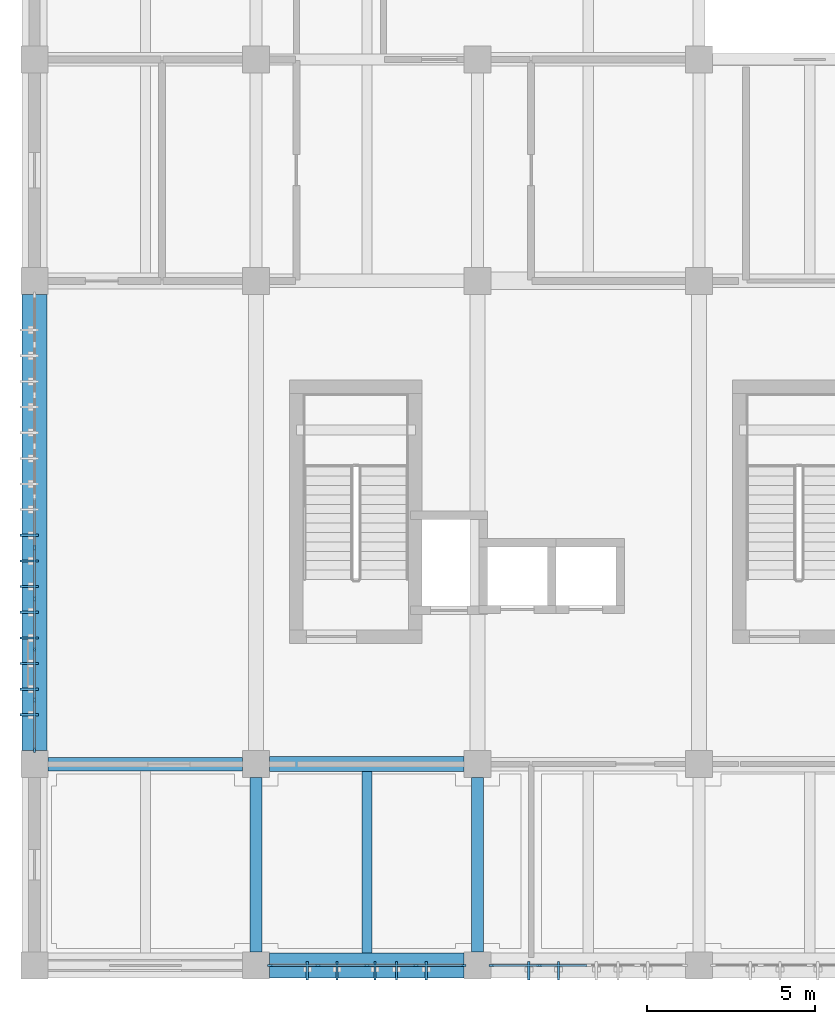
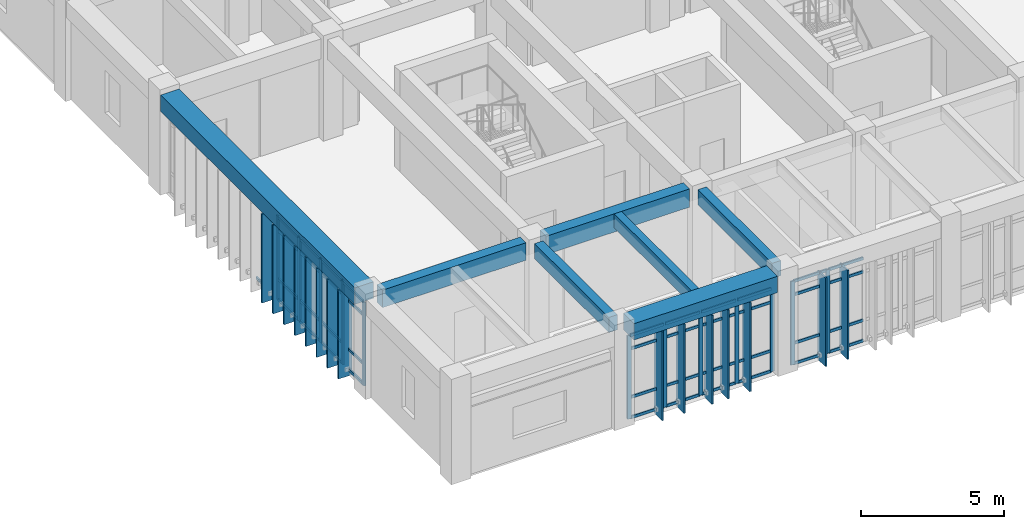
# One storey, part 2 of 34: 68 members, 7 beams, 3 elements without a shape of their own.
"""IFC4 building model written with IfcOpenShell, lengths in metres."""

from ifc_helpers import new_model, si_unit, direction, frame, origin, origin_2d, place, context, subcontext, project, spatial, rectangle, extrude, material, layer, layer_set, material_profile, profile_set, type_object, element, aggregate, save


model = new_model("IFC4")

# Units and contexts
model_context = context("Model", 3, precision=1e-05, world=origin(), true_north=direction((0.0, 1.0)))
body_context = subcontext(model_context, "Body", "Model", "MODEL_VIEW")
ifc_project = project(units=[si_unit("LENGTHUNIT", "METRE"), si_unit("AREAUNIT", "SQUARE_METRE"), si_unit("VOLUMEUNIT", "CUBIC_METRE"), si_unit("PLANEANGLEUNIT", "RADIAN"), si_unit("MASSUNIT", "GRAM", prefix="KILO")], contexts=[model_context])

# Site, building, storey
site_placement = place(None, origin())
site = spatial("IfcSite", under=ifc_project, at=site_placement, CompositionType="ELEMENT")
building_placement = place(site_placement, origin())
building = spatial("IfcBuilding", under=site, at=building_placement, Name="Miralva Faculty of Natural Sciences", CompositionType="ELEMENT")
storey_placement = place(building_placement, frame((0.0, 0.0, 24.0)))
storey = spatial("IfcBuildingStorey", under=building, at=storey_placement, Name="L05", CompositionType="ELEMENT", Elevation=24.0)

# Beams
ifc_material_1 = material(Name="Concrete C40/50", Category="concrete")
ifc_material_profile_1 = material_profile(ifc_material_1, rectangle(XDim=0.39990234375, YDim=0.75, at=origin_2d()), Name="RC 400x750")
ifc_profile_set_1 = profile_set([ifc_material_profile_1], Name="Concrete C40/50")
beam_type_1 = type_object("IfcBeamType", Name="BM-B03", PredefinedType="BEAM", material=ifc_profile_set_1)
beam_1_placement = place(storey_placement, frame((3.39990234375, 9.0, 3.905029296875), z_axis=(1.0, 0.0, 0.0), x_axis=(0.0, 1.0, 0.0)))
element("IfcBeam", 1, at=beam_1_placement, inside=storey, type_object=beam_type_1, Name="Girder EW L05-6", PredefinedType="BEAM", context=body_context, shape_type="SweptSolid", body=[
    extrude(rectangle(XDim=0.39990234375, YDim=0.75, at=origin_2d()), origin(), (0.0, 0.0, 1.0), 5.800048828125),
])
ifc_material_profile_2 = material_profile(ifc_material_1, rectangle(XDim=0.35009765625, YDim=0.64990234375, at=origin_2d()), Name="RC 350x650")
ifc_profile_set_2 = profile_set([ifc_material_profile_2], Name="Concrete C40/50")
beam_type_2 = type_object("IfcBeamType", Name="BM-B05", PredefinedType="BEAM", material=ifc_profile_set_2)
for number, where, z_axis, x_axis, name in (
    (2, (9.60009765625, 3.39990234375, 3.955078125), (0.0, 1.0, 0.0), (-1.0, 0.0, 0.0), "Girder NS L05-39"),
    (3, (16.199951171875, 3.39990234375, 3.955078125), (0.0, 1.0, 0.0), (-1.0, 0.0, 0.0), "Girder NS L05-47"),
):
    element("IfcBeam", number, at=place(storey_placement, frame(where, z_axis=z_axis, x_axis=x_axis)), inside=storey, type_object=beam_type_2, Name=name, PredefinedType="BEAM", context=body_context, shape_type="SweptSolid", body=[
        extrude(rectangle(XDim=0.35009765625, YDim=0.64990234375, at=origin_2d()), origin(), (0.0, 0.0, 1.0), 5.2001953125),
    ])
ifc_material_profile_3 = material_profile(ifc_material_1, rectangle(XDim=0.43994140625, YDim=0.780029296875, at=origin_2d()), Name="RC 440x780")
ifc_profile_set_3 = profile_set([ifc_material_profile_3], Name="Concrete C40/50")
beam_type_3 = type_object("IfcBeamType", Name="BM-BG13", PredefinedType="BEAM", material=ifc_profile_set_3)
beam_2_placement = place(storey_placement, frame((10.0, 9.0, 3.889892578125), z_axis=(1.0, 0.0, 0.0), x_axis=(0.0, 1.0, 0.0)))
element("IfcBeam", 4, at=beam_2_placement, inside=storey, type_object=beam_type_3, Name="Girder EW L05-7", PredefinedType="BEAM", context=body_context, shape_type="SweptSolid", body=[
    extrude(rectangle(XDim=0.43994140625, YDim=0.780029296875, at=origin_2d()), origin(), (0.0, 0.0, 1.0), 5.800048828125),
])
ifc_material_profile_4 = material_profile(ifc_material_1, rectangle(XDim=0.300048828125, YDim=0.60009765625, at=origin_2d()), Name="RC 300x600")
ifc_profile_set_4 = profile_set([ifc_material_profile_4], Name="Concrete C40/50")
beam_type_4 = type_object("IfcBeamType", Name="BM-J01", PredefinedType="JOIST", material=ifc_profile_set_4)
beam_3_placement = place(storey_placement, frame((12.89990234375, 3.375, 3.97998046875), z_axis=(0.0, 1.0, 0.0), x_axis=(-1.0, 0.0, 0.0)))
element("IfcBeam", 5, at=beam_3_placement, inside=storey, type_object=beam_type_4, Name="Floor joist L05-2", PredefinedType="JOIST", context=body_context, shape_type="SweptSolid", body=[
    extrude(rectangle(XDim=0.300048828125, YDim=0.60009765625, at=origin_2d()), origin(), (0.0, 0.0, 1.0), 5.405029296875),
])
ifc_material_profile_5 = material_profile(ifc_material_1, rectangle(XDim=0.75, YDim=0.699951171875, at=origin_2d()), Name="RC 750x700")
ifc_profile_set_5 = profile_set([ifc_material_profile_5], Name="Concrete C40/50")
beam_type_5 = type_object("IfcBeamType", Name="BM-SP01", PredefinedType="SPANDREL", material=ifc_profile_set_5)
beam_4_placement = place(storey_placement, frame((10.0, 3.0, 3.929931640625), z_axis=(1.0, 0.0, 0.0), x_axis=(0.0, 1.0, 0.0)))
element("IfcBeam", 6, at=beam_4_placement, inside=storey, type_object=beam_type_5, Name="Girder EW L05-2", PredefinedType="SPANDREL", context=body_context, shape_type="SweptSolid", body=[
    extrude(rectangle(XDim=0.75, YDim=0.699951171875, at=origin_2d()), origin(), (0.0, 0.0, 1.0), 5.800048828125),
])
beam_5_placement = place(storey_placement, frame((3.0, 9.39990234375, 3.929931640625), z_axis=(0.0, 1.0, 0.0), x_axis=(-1.0, 0.0, 0.0)))
element("IfcBeam", 7, at=beam_5_placement, inside=storey, type_object=beam_type_5, Name="Girder NS L05-32", PredefinedType="SPANDREL", context=body_context, shape_type="SweptSolid", body=[
    extrude(rectangle(XDim=0.75, YDim=0.699951171875, at=origin_2d()), origin(), (0.0, 0.0, 1.0), 13.60009765625),
])

# Curtain wall, members
ifc_material_2 = material(Name="Laminated solar-control glass", Category="glass")
ifc_layer = layer(ifc_material_2, 0.179931640625, Name="CW-TWR-L03")
ifc_layer_set = layer_set([ifc_layer], Name="Laminated solar-control glass")
curtain_wall_type = type_object("IfcCurtainWallType", Name="CW-TWR-L03", PredefinedType="USERDEFINED", material=ifc_layer_set)
curtain_wall_1_placement = place(storey_placement, origin())
curtain_wall_1 = element("IfcCurtainWall", 8, at=curtain_wall_1_placement, inside=storey, type_object=curtain_wall_type, Name="Curtain wall CW-14 L05-234", ObjectType="UNITISED CURTAIN WALL", PredefinedType="USERDEFINED")
ifc_material_3 = material(Name="Anodised aluminium", Category="aluminium")
ifc_material_profile_6 = material_profile(ifc_material_3, rectangle(XDim=0.06494140625, YDim=0.159912109375, at=origin_2d()), Name="MULLION 65x160")
ifc_profile_set_6 = profile_set([ifc_material_profile_6], Name="Anodised aluminium")
member_type_1 = type_object("IfcMemberType", Name="CW-M02", PredefinedType="MULLION", material=ifc_profile_set_6)
member_1_placement = place(storey_placement, frame((10.017578125, 3.0, 0.0), z_axis=(0.0, 0.0, 1.0), x_axis=(0.0, 1.0, 0.0)))
member_1 = element("IfcMember", 9, at=member_1_placement, type_object=member_type_1, Name="CW-14 mullion 1", PredefinedType="MULLION", context=body_context, shape_type="SweptSolid", body=[
    extrude(rectangle(XDim=0.06494140625, YDim=0.159912109375, at=origin_2d()), origin(), (0.0, 0.0, 1.0), 3.574951171875),
])
member_2_placement = place(storey_placement, frame((11.4423828125, 3.0, 0.0), z_axis=(0.0, 0.0, 1.0), x_axis=(0.0, 1.0, 0.0)))
member_2 = element("IfcMember", 10, at=member_2_placement, type_object=member_type_1, Name="CW-14 mullion 2", PredefinedType="MULLION", context=body_context, shape_type="SweptSolid", body=[
    extrude(rectangle(XDim=0.06494140625, YDim=0.159912109375, at=origin_2d()), origin(), (0.0, 0.0, 1.0), 3.574951171875),
])
member_3_placement = place(storey_placement, frame((12.89990234375, 3.0, 0.0), z_axis=(0.0, 0.0, 1.0), x_axis=(0.0, 1.0, 0.0)))
member_3 = element("IfcMember", 11, at=member_3_placement, type_object=member_type_1, Name="CW-14 mullion 3", PredefinedType="MULLION", context=body_context, shape_type="SweptSolid", body=[
    extrude(rectangle(XDim=0.06494140625, YDim=0.159912109375, at=origin_2d()), origin(), (0.0, 0.0, 1.0), 3.574951171875),
])
member_4_placement = place(storey_placement, frame((14.357421875, 3.0, 0.0), z_axis=(0.0, 0.0, 1.0), x_axis=(0.0, 1.0, 0.0)))
member_4 = element("IfcMember", 12, at=member_4_placement, type_object=member_type_1, Name="CW-14 mullion 4", PredefinedType="MULLION", context=body_context, shape_type="SweptSolid", body=[
    extrude(rectangle(XDim=0.06494140625, YDim=0.159912109375, at=origin_2d()), origin(), (0.0, 0.0, 1.0), 3.574951171875),
])
member_5_placement = place(storey_placement, frame((15.782470703125, 3.0, 0.0), z_axis=(0.0, 0.0, 1.0), x_axis=(0.0, 1.0, 0.0)))
member_5 = element("IfcMember", 13, at=member_5_placement, type_object=member_type_1, Name="CW-14 mullion 5", PredefinedType="MULLION", context=body_context, shape_type="SweptSolid", body=[
    extrude(rectangle(XDim=0.06494140625, YDim=0.159912109375, at=origin_2d()), origin(), (0.0, 0.0, 1.0), 3.574951171875),
])

curtain_wall_2_placement = place(storey_placement, origin())
curtain_wall_2 = element("IfcCurtainWall", 14, at=curtain_wall_2_placement, inside=storey, type_object=curtain_wall_type, Name="Curtain wall CW-14 L05-235", ObjectType="UNITISED CURTAIN WALL", PredefinedType="USERDEFINED")
member_6_placement = place(storey_placement, frame((16.617431640625, 3.0, 0.0), z_axis=(0.0, 0.0, 1.0), x_axis=(0.0, 1.0, 0.0)))
member_6 = element("IfcMember", 15, at=member_6_placement, type_object=member_type_1, Name="CW-14 mullion 1", PredefinedType="MULLION", context=body_context, shape_type="SweptSolid", body=[
    extrude(rectangle(XDim=0.06494140625, YDim=0.159912109375, at=origin_2d()), origin(), (0.0, 0.0, 1.0), 3.574951171875),
])
member_7_placement = place(storey_placement, frame((18.04248046875, 3.0, 0.0), z_axis=(0.0, 0.0, 1.0), x_axis=(0.0, 1.0, 0.0)))
member_7 = element("IfcMember", 16, at=member_7_placement, type_object=member_type_1, Name="CW-14 mullion 2", PredefinedType="MULLION", context=body_context, shape_type="SweptSolid", body=[
    extrude(rectangle(XDim=0.06494140625, YDim=0.159912109375, at=origin_2d()), origin(), (0.0, 0.0, 1.0), 3.574951171875),
])

curtain_wall_3_placement = place(storey_placement, origin())
curtain_wall_3 = element("IfcCurtainWall", 17, at=curtain_wall_3_placement, inside=storey, type_object=curtain_wall_type, Name="Curtain wall CW-14 L05-238", ObjectType="UNITISED CURTAIN WALL", PredefinedType="USERDEFINED")
member_8_placement = place(storey_placement, frame((3.0, 9.41748046875, 0.0), z_axis=(0.0, 0.0, 1.0), x_axis=(-1.0, 0.0, 0.0)))
member_8 = element("IfcMember", 18, at=member_8_placement, type_object=member_type_1, Name="CW-14 mullion 1", PredefinedType="MULLION", context=body_context, shape_type="SweptSolid", body=[
    extrude(rectangle(XDim=0.06494140625, YDim=0.159912109375, at=origin_2d()), origin(), (0.0, 0.0, 1.0), 3.574951171875),
])
member_9_placement = place(storey_placement, frame((3.0, 10.8994140625, 0.0), z_axis=(0.0, 0.0, 1.0), x_axis=(-1.0, 0.0, 0.0)))
member_9 = element("IfcMember", 19, at=member_9_placement, type_object=member_type_1, Name="CW-14 mullion 2", PredefinedType="MULLION", context=body_context, shape_type="SweptSolid", body=[
    extrude(rectangle(XDim=0.06494140625, YDim=0.159912109375, at=origin_2d()), origin(), (0.0, 0.0, 1.0), 3.574951171875),
])
member_10_placement = place(storey_placement, frame((3.0, 12.413818359375, 0.0), z_axis=(0.0, 0.0, 1.0), x_axis=(-1.0, 0.0, 0.0)))
member_10 = element("IfcMember", 20, at=member_10_placement, type_object=member_type_1, Name="CW-14 mullion 3", PredefinedType="MULLION", context=body_context, shape_type="SweptSolid", body=[
    extrude(rectangle(XDim=0.06494140625, YDim=0.159912109375, at=origin_2d()), origin(), (0.0, 0.0, 1.0), 3.574951171875),
])
member_11_placement = place(storey_placement, frame((3.0, 13.92822265625, 0.0), z_axis=(0.0, 0.0, 1.0), x_axis=(-1.0, 0.0, 0.0)))
member_11 = element("IfcMember", 21, at=member_11_placement, type_object=member_type_1, Name="CW-14 mullion 4", PredefinedType="MULLION", context=body_context, shape_type="SweptSolid", body=[
    extrude(rectangle(XDim=0.06494140625, YDim=0.159912109375, at=origin_2d()), origin(), (0.0, 0.0, 1.0), 3.574951171875),
])
member_12_placement = place(storey_placement, frame((3.0, 15.44287109375, 0.0), z_axis=(0.0, 0.0, 1.0), x_axis=(-1.0, 0.0, 0.0)))
member_12 = element("IfcMember", 22, at=member_12_placement, type_object=member_type_1, Name="CW-14 mullion 5", PredefinedType="MULLION", context=body_context, shape_type="SweptSolid", body=[
    extrude(rectangle(XDim=0.06494140625, YDim=0.159912109375, at=origin_2d()), origin(), (0.0, 0.0, 1.0), 3.574951171875),
])

# Member
ifc_material_profile_7 = material_profile(ifc_material_3, rectangle(XDim=0.06005859375, YDim=0.1201171875, at=origin_2d()), Name="TRANSOM 60x120")
ifc_profile_set_7 = profile_set([ifc_material_profile_7], Name="Anodised aluminium")
member_type_2 = type_object("IfcMemberType", Name="CW-T02", PredefinedType="USERDEFINED", material=ifc_profile_set_7)
member_13_placement = place(storey_placement, frame((10.050048828125, 3.0, 0.030029296875), z_axis=(1.0, 0.0, 0.0), x_axis=(0.0, 1.0, 0.0)))
member_13 = element("IfcMember", 23, at=member_13_placement, type_object=member_type_2, Name="CW-14 transom 1.1", ObjectType="TRANSOM", PredefinedType="USERDEFINED", context=body_context, shape_type="SweptSolid", body=[
    extrude(rectangle(XDim=0.06005859375, YDim=0.1201171875, at=origin_2d()), origin(), (0.0, 0.0, 1.0), 1.35986328125),
])

member_14_placement = place(storey_placement, frame((10.050048828125, 3.0, 0.89990234375), z_axis=(1.0, 0.0, 0.0), x_axis=(0.0, 1.0, 0.0)))
member_14 = element("IfcMember", 24, at=member_14_placement, type_object=member_type_2, Name="CW-14 transom 1.2", ObjectType="TRANSOM", PredefinedType="USERDEFINED", context=body_context, shape_type="SweptSolid", body=[
    extrude(rectangle(XDim=0.06005859375, YDim=0.1201171875, at=origin_2d()), origin(), (0.0, 0.0, 1.0), 1.35986328125),
])

member_15_placement = place(storey_placement, frame((10.050048828125, 3.0, 2.97509765625), z_axis=(1.0, 0.0, 0.0), x_axis=(0.0, 1.0, 0.0)))
member_15 = element("IfcMember", 25, at=member_15_placement, type_object=member_type_2, Name="CW-14 transom 1.3", ObjectType="TRANSOM", PredefinedType="USERDEFINED", context=body_context, shape_type="SweptSolid", body=[
    extrude(rectangle(XDim=0.06005859375, YDim=0.1201171875, at=origin_2d()), origin(), (0.0, 0.0, 1.0), 1.35986328125),
])

member_16_placement = place(storey_placement, frame((10.050048828125, 3.0, 3.544921875), z_axis=(1.0, 0.0, 0.0), x_axis=(0.0, 1.0, 0.0)))
member_16 = element("IfcMember", 26, at=member_16_placement, type_object=member_type_2, Name="CW-14 transom 1.4", ObjectType="TRANSOM", PredefinedType="USERDEFINED", context=body_context, shape_type="SweptSolid", body=[
    extrude(rectangle(XDim=0.06005859375, YDim=0.1201171875, at=origin_2d()), origin(), (0.0, 0.0, 1.0), 1.35986328125),
])

member_17_placement = place(storey_placement, frame((11.47509765625, 3.0, 0.030029296875), z_axis=(1.0, 0.0, 0.0), x_axis=(0.0, 1.0, 0.0)))
member_17 = element("IfcMember", 27, at=member_17_placement, type_object=member_type_2, Name="CW-14 transom 2.1", ObjectType="TRANSOM", PredefinedType="USERDEFINED", context=body_context, shape_type="SweptSolid", body=[
    extrude(rectangle(XDim=0.06005859375, YDim=0.1201171875, at=origin_2d()), origin(), (0.0, 0.0, 1.0), 1.392333984375),
])

member_18_placement = place(storey_placement, frame((11.47509765625, 3.0, 0.89990234375), z_axis=(1.0, 0.0, 0.0), x_axis=(0.0, 1.0, 0.0)))
member_18 = element("IfcMember", 28, at=member_18_placement, type_object=member_type_2, Name="CW-14 transom 2.2", ObjectType="TRANSOM", PredefinedType="USERDEFINED", context=body_context, shape_type="SweptSolid", body=[
    extrude(rectangle(XDim=0.06005859375, YDim=0.1201171875, at=origin_2d()), origin(), (0.0, 0.0, 1.0), 1.392333984375),
])

member_19_placement = place(storey_placement, frame((11.47509765625, 3.0, 2.97509765625), z_axis=(1.0, 0.0, 0.0), x_axis=(0.0, 1.0, 0.0)))
member_19 = element("IfcMember", 29, at=member_19_placement, type_object=member_type_2, Name="CW-14 transom 2.3", ObjectType="TRANSOM", PredefinedType="USERDEFINED", context=body_context, shape_type="SweptSolid", body=[
    extrude(rectangle(XDim=0.06005859375, YDim=0.1201171875, at=origin_2d()), origin(), (0.0, 0.0, 1.0), 1.392333984375),
])

member_20_placement = place(storey_placement, frame((11.47509765625, 3.0, 3.544921875), z_axis=(1.0, 0.0, 0.0), x_axis=(0.0, 1.0, 0.0)))
member_20 = element("IfcMember", 30, at=member_20_placement, type_object=member_type_2, Name="CW-14 transom 2.4", ObjectType="TRANSOM", PredefinedType="USERDEFINED", context=body_context, shape_type="SweptSolid", body=[
    extrude(rectangle(XDim=0.06005859375, YDim=0.1201171875, at=origin_2d()), origin(), (0.0, 0.0, 1.0), 1.392333984375),
])

member_21_placement = place(storey_placement, frame((12.9326171875, 3.0, 0.030029296875), z_axis=(1.0, 0.0, 0.0), x_axis=(0.0, 1.0, 0.0)))
member_21 = element("IfcMember", 31, at=member_21_placement, type_object=member_type_2, Name="CW-14 transom 3.1", ObjectType="TRANSOM", PredefinedType="USERDEFINED", context=body_context, shape_type="SweptSolid", body=[
    extrude(rectangle(XDim=0.06005859375, YDim=0.1201171875, at=origin_2d()), origin(), (0.0, 0.0, 1.0), 1.392333984375),
])

member_22_placement = place(storey_placement, frame((12.9326171875, 3.0, 0.89990234375), z_axis=(1.0, 0.0, 0.0), x_axis=(0.0, 1.0, 0.0)))
member_22 = element("IfcMember", 32, at=member_22_placement, type_object=member_type_2, Name="CW-14 transom 3.2", ObjectType="TRANSOM", PredefinedType="USERDEFINED", context=body_context, shape_type="SweptSolid", body=[
    extrude(rectangle(XDim=0.06005859375, YDim=0.1201171875, at=origin_2d()), origin(), (0.0, 0.0, 1.0), 1.392333984375),
])

member_23_placement = place(storey_placement, frame((12.9326171875, 3.0, 2.97509765625), z_axis=(1.0, 0.0, 0.0), x_axis=(0.0, 1.0, 0.0)))
member_23 = element("IfcMember", 33, at=member_23_placement, type_object=member_type_2, Name="CW-14 transom 3.3", ObjectType="TRANSOM", PredefinedType="USERDEFINED", context=body_context, shape_type="SweptSolid", body=[
    extrude(rectangle(XDim=0.06005859375, YDim=0.1201171875, at=origin_2d()), origin(), (0.0, 0.0, 1.0), 1.392333984375),
])

member_24_placement = place(storey_placement, frame((12.9326171875, 3.0, 3.544921875), z_axis=(1.0, 0.0, 0.0), x_axis=(0.0, 1.0, 0.0)))
member_24 = element("IfcMember", 34, at=member_24_placement, type_object=member_type_2, Name="CW-14 transom 3.4", ObjectType="TRANSOM", PredefinedType="USERDEFINED", context=body_context, shape_type="SweptSolid", body=[
    extrude(rectangle(XDim=0.06005859375, YDim=0.1201171875, at=origin_2d()), origin(), (0.0, 0.0, 1.0), 1.392333984375),
])

member_25_placement = place(storey_placement, frame((14.389892578125, 3.0, 0.030029296875), z_axis=(1.0, 0.0, 0.0), x_axis=(0.0, 1.0, 0.0)))
member_25 = element("IfcMember", 35, at=member_25_placement, type_object=member_type_2, Name="CW-14 transom 4.1", ObjectType="TRANSOM", PredefinedType="USERDEFINED", context=body_context, shape_type="SweptSolid", body=[
    extrude(rectangle(XDim=0.06005859375, YDim=0.1201171875, at=origin_2d()), origin(), (0.0, 0.0, 1.0), 1.360107421875),
])

member_26_placement = place(storey_placement, frame((14.389892578125, 3.0, 0.89990234375), z_axis=(1.0, 0.0, 0.0), x_axis=(0.0, 1.0, 0.0)))
member_26 = element("IfcMember", 36, at=member_26_placement, type_object=member_type_2, Name="CW-14 transom 4.2", ObjectType="TRANSOM", PredefinedType="USERDEFINED", context=body_context, shape_type="SweptSolid", body=[
    extrude(rectangle(XDim=0.06005859375, YDim=0.1201171875, at=origin_2d()), origin(), (0.0, 0.0, 1.0), 1.360107421875),
])

member_27_placement = place(storey_placement, frame((14.389892578125, 3.0, 2.97509765625), z_axis=(1.0, 0.0, 0.0), x_axis=(0.0, 1.0, 0.0)))
member_27 = element("IfcMember", 37, at=member_27_placement, type_object=member_type_2, Name="CW-14 transom 4.3", ObjectType="TRANSOM", PredefinedType="USERDEFINED", context=body_context, shape_type="SweptSolid", body=[
    extrude(rectangle(XDim=0.06005859375, YDim=0.1201171875, at=origin_2d()), origin(), (0.0, 0.0, 1.0), 1.360107421875),
])

member_28_placement = place(storey_placement, frame((14.389892578125, 3.0, 3.544921875), z_axis=(1.0, 0.0, 0.0), x_axis=(0.0, 1.0, 0.0)))
member_28 = element("IfcMember", 38, at=member_28_placement, type_object=member_type_2, Name="CW-14 transom 4.4", ObjectType="TRANSOM", PredefinedType="USERDEFINED", context=body_context, shape_type="SweptSolid", body=[
    extrude(rectangle(XDim=0.06005859375, YDim=0.1201171875, at=origin_2d()), origin(), (0.0, 0.0, 1.0), 1.360107421875),
])

aggregate(curtain_wall_1, [member_1, member_2, member_3, member_4, member_5, member_13, member_14, member_15, member_16, member_17, member_18, member_19, member_20, member_21, member_22, member_23, member_24, member_25, member_26, member_27, member_28])

member_29_placement = place(storey_placement, frame((16.64990234375, 3.0, 0.030029296875), z_axis=(1.0, 0.0, 0.0), x_axis=(0.0, 1.0, 0.0)))
member_29 = element("IfcMember", 39, at=member_29_placement, type_object=member_type_2, Name="CW-14 transom 1.1", ObjectType="TRANSOM", PredefinedType="USERDEFINED", context=body_context, shape_type="SweptSolid", body=[
    extrude(rectangle(XDim=0.06005859375, YDim=0.1201171875, at=origin_2d()), origin(), (0.0, 0.0, 1.0), 1.360107421875),
])

member_30_placement = place(storey_placement, frame((16.64990234375, 3.0, 0.89990234375), z_axis=(1.0, 0.0, 0.0), x_axis=(0.0, 1.0, 0.0)))
member_30 = element("IfcMember", 40, at=member_30_placement, type_object=member_type_2, Name="CW-14 transom 1.2", ObjectType="TRANSOM", PredefinedType="USERDEFINED", context=body_context, shape_type="SweptSolid", body=[
    extrude(rectangle(XDim=0.06005859375, YDim=0.1201171875, at=origin_2d()), origin(), (0.0, 0.0, 1.0), 1.360107421875),
])

member_31_placement = place(storey_placement, frame((16.64990234375, 3.0, 2.97509765625), z_axis=(1.0, 0.0, 0.0), x_axis=(0.0, 1.0, 0.0)))
member_31 = element("IfcMember", 41, at=member_31_placement, type_object=member_type_2, Name="CW-14 transom 1.3", ObjectType="TRANSOM", PredefinedType="USERDEFINED", context=body_context, shape_type="SweptSolid", body=[
    extrude(rectangle(XDim=0.06005859375, YDim=0.1201171875, at=origin_2d()), origin(), (0.0, 0.0, 1.0), 1.360107421875),
])

member_32_placement = place(storey_placement, frame((16.64990234375, 3.0, 3.544921875), z_axis=(1.0, 0.0, 0.0), x_axis=(0.0, 1.0, 0.0)))
member_32 = element("IfcMember", 42, at=member_32_placement, type_object=member_type_2, Name="CW-14 transom 1.4", ObjectType="TRANSOM", PredefinedType="USERDEFINED", context=body_context, shape_type="SweptSolid", body=[
    extrude(rectangle(XDim=0.06005859375, YDim=0.1201171875, at=origin_2d()), origin(), (0.0, 0.0, 1.0), 1.360107421875),
])

member_33_placement = place(storey_placement, frame((18.074951171875, 3.0, 0.030029296875), z_axis=(1.0, 0.0, 0.0), x_axis=(0.0, 1.0, 0.0)))
member_33 = element("IfcMember", 43, at=member_33_placement, type_object=member_type_2, Name="CW-14 transom 2.1", ObjectType="TRANSOM", PredefinedType="USERDEFINED", context=body_context, shape_type="SweptSolid", body=[
    extrude(rectangle(XDim=0.06005859375, YDim=0.1201171875, at=origin_2d()), origin(), (0.0, 0.0, 1.0), 1.392578125),
])

member_34_placement = place(storey_placement, frame((18.074951171875, 3.0, 0.89990234375), z_axis=(1.0, 0.0, 0.0), x_axis=(0.0, 1.0, 0.0)))
member_34 = element("IfcMember", 44, at=member_34_placement, type_object=member_type_2, Name="CW-14 transom 2.2", ObjectType="TRANSOM", PredefinedType="USERDEFINED", context=body_context, shape_type="SweptSolid", body=[
    extrude(rectangle(XDim=0.06005859375, YDim=0.1201171875, at=origin_2d()), origin(), (0.0, 0.0, 1.0), 1.392578125),
])

member_35_placement = place(storey_placement, frame((18.074951171875, 3.0, 2.97509765625), z_axis=(1.0, 0.0, 0.0), x_axis=(0.0, 1.0, 0.0)))
member_35 = element("IfcMember", 45, at=member_35_placement, type_object=member_type_2, Name="CW-14 transom 2.3", ObjectType="TRANSOM", PredefinedType="USERDEFINED", context=body_context, shape_type="SweptSolid", body=[
    extrude(rectangle(XDim=0.06005859375, YDim=0.1201171875, at=origin_2d()), origin(), (0.0, 0.0, 1.0), 1.392578125),
])

member_36_placement = place(storey_placement, frame((18.074951171875, 3.0, 3.544921875), z_axis=(1.0, 0.0, 0.0), x_axis=(0.0, 1.0, 0.0)))
member_36 = element("IfcMember", 46, at=member_36_placement, type_object=member_type_2, Name="CW-14 transom 2.4", ObjectType="TRANSOM", PredefinedType="USERDEFINED", context=body_context, shape_type="SweptSolid", body=[
    extrude(rectangle(XDim=0.06005859375, YDim=0.1201171875, at=origin_2d()), origin(), (0.0, 0.0, 1.0), 1.392578125),
])

aggregate(curtain_wall_2, [member_6, member_7, member_29, member_30, member_31, member_32, member_33, member_34, member_35, member_36])

member_37_placement = place(storey_placement, frame((3.0, 9.449951171875, 0.030029296875), z_axis=(0.0, 1.0, 0.0), x_axis=(-1.0, 0.0, 0.0)))
member_37 = element("IfcMember", 47, at=member_37_placement, type_object=member_type_2, Name="CW-14 transom 1.1", ObjectType="TRANSOM", PredefinedType="USERDEFINED", context=body_context, shape_type="SweptSolid", body=[
    extrude(rectangle(XDim=0.06005859375, YDim=0.1201171875, at=origin_2d()), origin(), (0.0, 0.0, 1.0), 1.4169921875),
])

member_38_placement = place(storey_placement, frame((3.0, 9.449951171875, 0.89990234375), z_axis=(0.0, 1.0, 0.0), x_axis=(-1.0, 0.0, 0.0)))
member_38 = element("IfcMember", 48, at=member_38_placement, type_object=member_type_2, Name="CW-14 transom 1.2", ObjectType="TRANSOM", PredefinedType="USERDEFINED", context=body_context, shape_type="SweptSolid", body=[
    extrude(rectangle(XDim=0.06005859375, YDim=0.1201171875, at=origin_2d()), origin(), (0.0, 0.0, 1.0), 1.4169921875),
])

member_39_placement = place(storey_placement, frame((3.0, 9.449951171875, 2.97509765625), z_axis=(0.0, 1.0, 0.0), x_axis=(-1.0, 0.0, 0.0)))
member_39 = element("IfcMember", 49, at=member_39_placement, type_object=member_type_2, Name="CW-14 transom 1.3", ObjectType="TRANSOM", PredefinedType="USERDEFINED", context=body_context, shape_type="SweptSolid", body=[
    extrude(rectangle(XDim=0.06005859375, YDim=0.1201171875, at=origin_2d()), origin(), (0.0, 0.0, 1.0), 1.4169921875),
])

member_40_placement = place(storey_placement, frame((3.0, 9.449951171875, 3.544921875), z_axis=(0.0, 1.0, 0.0), x_axis=(-1.0, 0.0, 0.0)))
member_40 = element("IfcMember", 50, at=member_40_placement, type_object=member_type_2, Name="CW-14 transom 1.4", ObjectType="TRANSOM", PredefinedType="USERDEFINED", context=body_context, shape_type="SweptSolid", body=[
    extrude(rectangle(XDim=0.06005859375, YDim=0.1201171875, at=origin_2d()), origin(), (0.0, 0.0, 1.0), 1.4169921875),
])

member_41_placement = place(storey_placement, frame((3.0, 10.931884765625, 0.030029296875), z_axis=(0.0, 1.0, 0.0), x_axis=(-1.0, 0.0, 0.0)))
member_41 = element("IfcMember", 51, at=member_41_placement, type_object=member_type_2, Name="CW-14 transom 2.1", ObjectType="TRANSOM", PredefinedType="USERDEFINED", context=body_context, shape_type="SweptSolid", body=[
    extrude(rectangle(XDim=0.06005859375, YDim=0.1201171875, at=origin_2d()), origin(), (0.0, 0.0, 1.0), 1.449462890625),
])

member_42_placement = place(storey_placement, frame((3.0, 10.931884765625, 0.89990234375), z_axis=(0.0, 1.0, 0.0), x_axis=(-1.0, 0.0, 0.0)))
member_42 = element("IfcMember", 52, at=member_42_placement, type_object=member_type_2, Name="CW-14 transom 2.2", ObjectType="TRANSOM", PredefinedType="USERDEFINED", context=body_context, shape_type="SweptSolid", body=[
    extrude(rectangle(XDim=0.06005859375, YDim=0.1201171875, at=origin_2d()), origin(), (0.0, 0.0, 1.0), 1.449462890625),
])

member_43_placement = place(storey_placement, frame((3.0, 10.931884765625, 2.97509765625), z_axis=(0.0, 1.0, 0.0), x_axis=(-1.0, 0.0, 0.0)))
member_43 = element("IfcMember", 53, at=member_43_placement, type_object=member_type_2, Name="CW-14 transom 2.3", ObjectType="TRANSOM", PredefinedType="USERDEFINED", context=body_context, shape_type="SweptSolid", body=[
    extrude(rectangle(XDim=0.06005859375, YDim=0.1201171875, at=origin_2d()), origin(), (0.0, 0.0, 1.0), 1.449462890625),
])

member_44_placement = place(storey_placement, frame((3.0, 10.931884765625, 3.544921875), z_axis=(0.0, 1.0, 0.0), x_axis=(-1.0, 0.0, 0.0)))
member_44 = element("IfcMember", 54, at=member_44_placement, type_object=member_type_2, Name="CW-14 transom 2.4", ObjectType="TRANSOM", PredefinedType="USERDEFINED", context=body_context, shape_type="SweptSolid", body=[
    extrude(rectangle(XDim=0.06005859375, YDim=0.1201171875, at=origin_2d()), origin(), (0.0, 0.0, 1.0), 1.449462890625),
])

member_45_placement = place(storey_placement, frame((3.0, 12.4462890625, 0.030029296875), z_axis=(0.0, 1.0, 0.0), x_axis=(-1.0, 0.0, 0.0)))
member_45 = element("IfcMember", 55, at=member_45_placement, type_object=member_type_2, Name="CW-14 transom 3.1", ObjectType="TRANSOM", PredefinedType="USERDEFINED", context=body_context, shape_type="SweptSolid", body=[
    extrude(rectangle(XDim=0.06005859375, YDim=0.1201171875, at=origin_2d()), origin(), (0.0, 0.0, 1.0), 1.449462890625),
])

member_46_placement = place(storey_placement, frame((3.0, 12.4462890625, 0.89990234375), z_axis=(0.0, 1.0, 0.0), x_axis=(-1.0, 0.0, 0.0)))
member_46 = element("IfcMember", 56, at=member_46_placement, type_object=member_type_2, Name="CW-14 transom 3.2", ObjectType="TRANSOM", PredefinedType="USERDEFINED", context=body_context, shape_type="SweptSolid", body=[
    extrude(rectangle(XDim=0.06005859375, YDim=0.1201171875, at=origin_2d()), origin(), (0.0, 0.0, 1.0), 1.449462890625),
])

member_47_placement = place(storey_placement, frame((3.0, 12.4462890625, 2.97509765625), z_axis=(0.0, 1.0, 0.0), x_axis=(-1.0, 0.0, 0.0)))
member_47 = element("IfcMember", 57, at=member_47_placement, type_object=member_type_2, Name="CW-14 transom 3.3", ObjectType="TRANSOM", PredefinedType="USERDEFINED", context=body_context, shape_type="SweptSolid", body=[
    extrude(rectangle(XDim=0.06005859375, YDim=0.1201171875, at=origin_2d()), origin(), (0.0, 0.0, 1.0), 1.449462890625),
])

member_48_placement = place(storey_placement, frame((3.0, 12.4462890625, 3.544921875), z_axis=(0.0, 1.0, 0.0), x_axis=(-1.0, 0.0, 0.0)))
member_48 = element("IfcMember", 58, at=member_48_placement, type_object=member_type_2, Name="CW-14 transom 3.4", ObjectType="TRANSOM", PredefinedType="USERDEFINED", context=body_context, shape_type="SweptSolid", body=[
    extrude(rectangle(XDim=0.06005859375, YDim=0.1201171875, at=origin_2d()), origin(), (0.0, 0.0, 1.0), 1.449462890625),
])

member_49_placement = place(storey_placement, frame((3.0, 13.9609375, 0.030029296875), z_axis=(0.0, 1.0, 0.0), x_axis=(-1.0, 0.0, 0.0)))
member_49 = element("IfcMember", 59, at=member_49_placement, type_object=member_type_2, Name="CW-14 transom 4.1", ObjectType="TRANSOM", PredefinedType="USERDEFINED", context=body_context, shape_type="SweptSolid", body=[
    extrude(rectangle(XDim=0.06005859375, YDim=0.1201171875, at=origin_2d()), origin(), (0.0, 0.0, 1.0), 1.44921875),
])

member_50_placement = place(storey_placement, frame((3.0, 13.9609375, 0.89990234375), z_axis=(0.0, 1.0, 0.0), x_axis=(-1.0, 0.0, 0.0)))
member_50 = element("IfcMember", 60, at=member_50_placement, type_object=member_type_2, Name="CW-14 transom 4.2", ObjectType="TRANSOM", PredefinedType="USERDEFINED", context=body_context, shape_type="SweptSolid", body=[
    extrude(rectangle(XDim=0.06005859375, YDim=0.1201171875, at=origin_2d()), origin(), (0.0, 0.0, 1.0), 1.44921875),
])

member_51_placement = place(storey_placement, frame((3.0, 13.9609375, 2.97509765625), z_axis=(0.0, 1.0, 0.0), x_axis=(-1.0, 0.0, 0.0)))
member_51 = element("IfcMember", 61, at=member_51_placement, type_object=member_type_2, Name="CW-14 transom 4.3", ObjectType="TRANSOM", PredefinedType="USERDEFINED", context=body_context, shape_type="SweptSolid", body=[
    extrude(rectangle(XDim=0.06005859375, YDim=0.1201171875, at=origin_2d()), origin(), (0.0, 0.0, 1.0), 1.44921875),
])

member_52_placement = place(storey_placement, frame((3.0, 13.9609375, 3.544921875), z_axis=(0.0, 1.0, 0.0), x_axis=(-1.0, 0.0, 0.0)))
member_52 = element("IfcMember", 62, at=member_52_placement, type_object=member_type_2, Name="CW-14 transom 4.4", ObjectType="TRANSOM", PredefinedType="USERDEFINED", context=body_context, shape_type="SweptSolid", body=[
    extrude(rectangle(XDim=0.06005859375, YDim=0.1201171875, at=origin_2d()), origin(), (0.0, 0.0, 1.0), 1.44921875),
])

member_53_placement = place(storey_placement, frame((3.0, 15.475341796875, 0.030029296875), z_axis=(0.0, 1.0, 0.0), x_axis=(-1.0, 0.0, 0.0)))
member_53 = element("IfcMember", 63, at=member_53_placement, type_object=member_type_2, Name="CW-14 transom 5.1", ObjectType="TRANSOM", PredefinedType="USERDEFINED", context=body_context, shape_type="SweptSolid", body=[
    extrude(rectangle(XDim=0.06005859375, YDim=0.1201171875, at=origin_2d()), origin(), (0.0, 0.0, 1.0), 1.449462890625),
])

aggregate(curtain_wall_3, [member_8, member_9, member_10, member_11, member_12, member_37, member_38, member_39, member_40, member_41, member_42, member_43, member_44, member_45, member_46, member_47, member_48, member_49, member_50, member_51, member_52, member_53])

# Members
ifc_material_profile_8 = material_profile(ifc_material_3, rectangle(XDim=0.06494140625, YDim=0.550048828125, at=origin_2d()), Name="FIN 550x65")
ifc_profile_set_8 = profile_set([ifc_material_profile_8], Name="Anodised aluminium")
member_type_3 = type_object("IfcMemberType", Name="MEM-SF03", PredefinedType="USERDEFINED", material=ifc_profile_set_8)
for number, where, z_axis, x_axis, name in (
    (64, (11.1279296875, 2.840087890625, -0.219970703125), (0.0, 0.0, 1.0), (1.0, 0.0, 0.0), "Solar shading fin SF-03 L05-333"),
    (65, (12.013916015625, 2.840087890625, -0.219970703125), (0.0, 0.0, 1.0), (1.0, 0.0, 0.0), "Solar shading fin SF-03 L05-334"),
    (66, (13.139892578125, 2.840087890625, -0.219970703125), (0.0, 0.0, 1.0), (1.0, 0.0, 0.0), "Solar shading fin SF-03 L05-335"),
    (67, (13.785888671875, 2.840087890625, -0.219970703125), (0.0, 0.0, 1.0), (1.0, 0.0, 0.0), "Solar shading fin SF-03 L05-336"),
    (68, (14.672119140625, 2.840087890625, -0.219970703125), (0.0, 0.0, 1.0), (1.0, 0.0, 0.0), "Solar shading fin SF-03 L05-337"),
    (69, (17.72802734375, 2.840087890625, -0.219970703125), (0.0, 0.0, 1.0), (1.0, 0.0, 0.0), "Solar shading fin SF-03 L05-338"),
    (70, (18.614013671875, 2.840087890625, -0.219970703125), (0.0, 0.0, 1.0), (1.0, 0.0, 0.0), "Solar shading fin SF-03 L05-339"),
    (71, (2.840087890625, 10.46728515625, -0.219970703125), (0.0, 0.0, 1.0), (0.0, -1.0, 0.0), "Solar shading fin SF-03 L05-353"),
    (72, (2.840087890625, 11.231689453125, -0.219970703125), (0.0, 0.0, 1.0), (0.0, -1.0, 0.0), "Solar shading fin SF-03 L05-354"),
    (73, (2.840087890625, 11.995849609375, -0.219970703125), (0.0, 0.0, 1.0), (0.0, -1.0, 0.0), "Solar shading fin SF-03 L05-355"),
    (74, (2.840087890625, 12.76025390625, -0.219970703125), (0.0, 0.0, 1.0), (0.0, -1.0, 0.0), "Solar shading fin SF-03 L05-356"),
    (75, (2.840087890625, 13.524658203125, -0.219970703125), (0.0, 0.0, 1.0), (0.0, -1.0, 0.0), "Solar shading fin SF-03 L05-357"),
    (76, (2.840087890625, 14.2890625, -0.219970703125), (0.0, 0.0, 1.0), (0.0, -1.0, 0.0), "Solar shading fin SF-03 L05-358"),
    (77, (2.840087890625, 15.053466796875, -0.219970703125), (0.0, 0.0, 1.0), (0.0, -1.0, 0.0), "Solar shading fin SF-03 L05-359"),
    (78, (2.840087890625, 15.81787109375, -0.219970703125), (0.0, 0.0, 1.0), (0.0, -1.0, 0.0), "Solar shading fin SF-03 L05-360"),
):
    element("IfcMember", number, at=place(storey_placement, frame(where, z_axis=z_axis, x_axis=x_axis)), inside=storey, type_object=member_type_3, Name=name, ObjectType="SUNSHADE", PredefinedType="USERDEFINED", context=body_context, shape_type="SweptSolid", body=[
        extrude(rectangle(XDim=0.06494140625, YDim=0.550048828125, at=origin_2d()), origin(), (0.0, 0.0, 1.0), 3.794921875),
    ])

save(model, "model.ifc")
